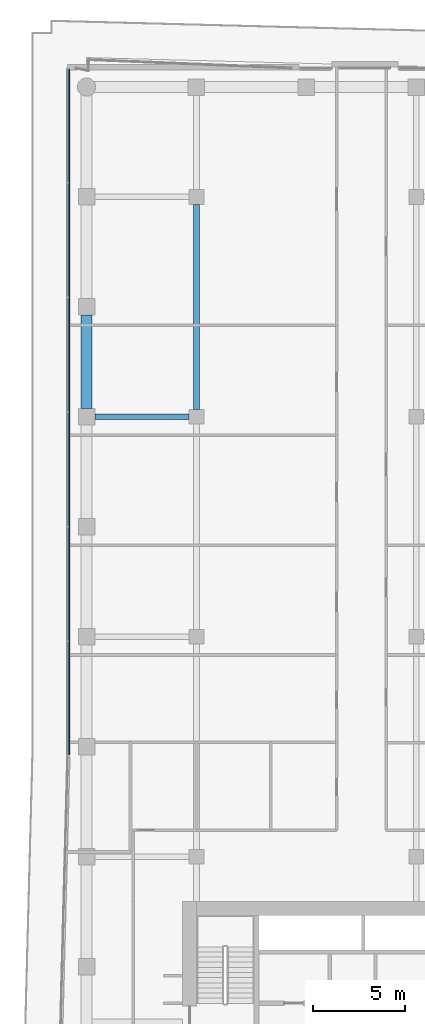
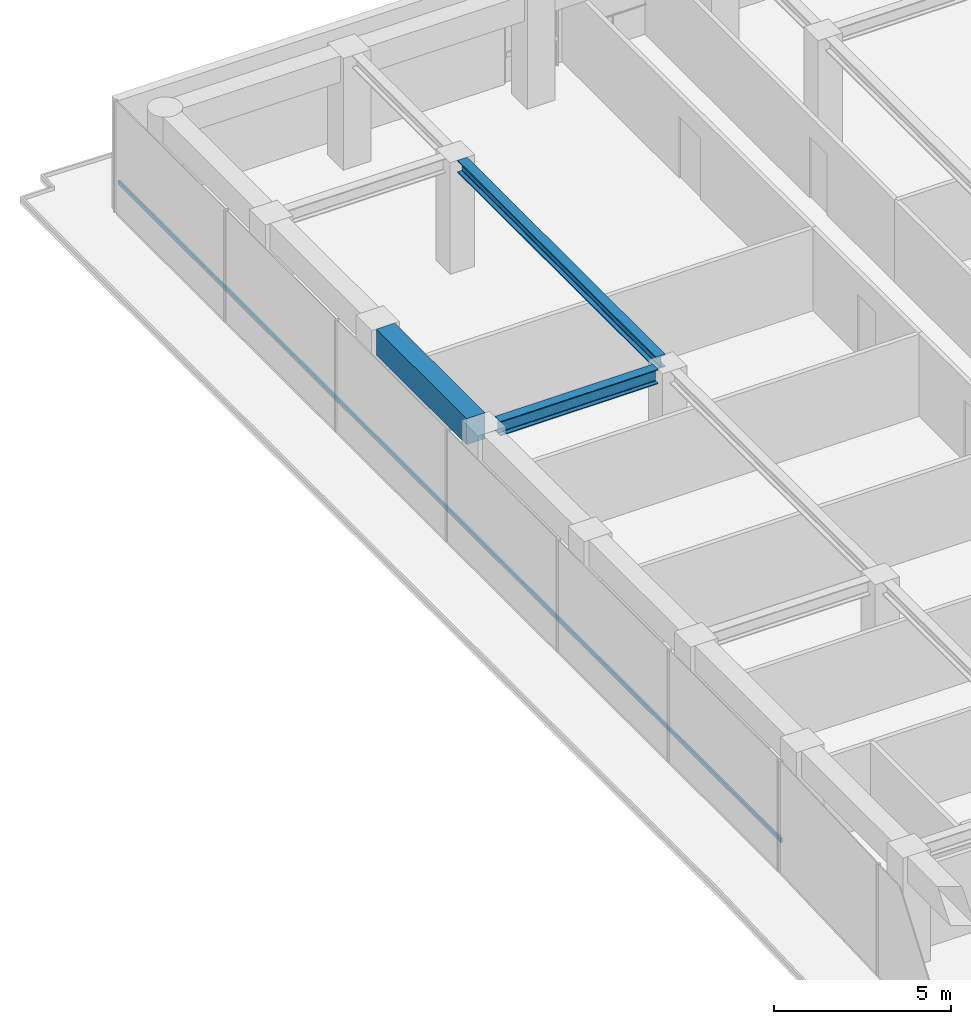
# One storey, part 12 of 23: 3 beams, 1 member, 1 element without a shape of its own.
"""IFC4 building model written with IfcOpenShell, lengths in metres."""

from ifc_helpers import new_model, si_unit, direction, frame, origin, origin_2d, place, context, subcontext, project, spatial, rectangle, i_section, extrude, material, layer, layer_set, material_profile, profile_set, type_object, element, aggregate, save


model = new_model("IFC4")

# Units and contexts
model_context = context("Model", 3, precision=1e-05, world=origin(), true_north=direction((0.0, 1.0)))
body_context = subcontext(model_context, "Body", "Model", "MODEL_VIEW")
ifc_project = project(units=[si_unit("LENGTHUNIT", "METRE"), si_unit("AREAUNIT", "SQUARE_METRE"), si_unit("VOLUMEUNIT", "CUBIC_METRE"), si_unit("PLANEANGLEUNIT", "RADIAN"), si_unit("MASSUNIT", "GRAM", prefix="KILO")], contexts=[model_context])

# Site, building, storey
site_placement = place(None, origin())
site = spatial("IfcSite", under=ifc_project, at=site_placement, CompositionType="ELEMENT")
building_placement = place(site_placement, origin())
building = spatial("IfcBuilding", under=site, at=building_placement, Name="Welwitschia Terrace Campus", CompositionType="ELEMENT")
storey_placement = place(building_placement, frame((0.0, 0.0, 117.199951171875)))
storey = spatial("IfcBuildingStorey", under=building, at=storey_placement, Name="L26", CompositionType="ELEMENT", Elevation=117.199951171875)

# Beams
ifc_material_1 = material(Name="Steel S355", Category="steel")
ifc_material_profile_1 = material_profile(ifc_material_1, i_section(OverallWidth=0.306884765625, OverallDepth=0.431884765625, WebThickness=0.02099609375, FlangeThickness=0.0400390625, FilletRadius=0.027099609375, at=origin_2d()))
ifc_profile_set_1 = profile_set([ifc_material_profile_1], Name="Steel S355")
beam_type_1 = type_object("IfcBeamType", Name="Interior girder HE 400 M", PredefinedType="BEAM", material=ifc_profile_set_1)
beam_1_placement = place(storey_placement, frame((6.0, 52.400390625, 3.634033203125), z_axis=(0.0, 1.0, 0.0), x_axis=(-1.0, 0.0, 0.0)))
element("IfcBeam", 1, at=beam_1_placement, inside=storey, type_object=beam_type_1, Name="Girder GB3", PredefinedType="BEAM", context=body_context, shape_type="SweptSolid", body=[
    extrude(i_section(OverallWidth=0.306884765625, OverallDepth=0.431884765625, WebThickness=0.02099609375, FlangeThickness=0.0400390625, FilletRadius=0.027099609375, at=origin_2d()), origin(), (0.0, 0.0, 1.0), 11.19921875),
])
ifc_material_2 = material(Name="Steel S355", Category="steel")
ifc_material_profile_2 = material_profile(ifc_material_2, i_section(OverallWidth=0.300048828125, OverallDepth=0.5, WebThickness=0.014404296875, FlangeThickness=0.028076171875, FilletRadius=0.027099609375, at=origin_2d()))
ifc_profile_set_2 = profile_set([ifc_material_profile_2], Name="Steel S355")
beam_type_2 = type_object("IfcBeamType", Name="Primary beam HE 500 B", PredefinedType="BEAM", material=ifc_profile_set_2)
beam_2_placement = place(storey_placement, frame((0.450439453125, 52.0, 3.60009765625), z_axis=(1.0, 0.0, 0.0), x_axis=(0.0, 1.0, 0.0)))
element("IfcBeam", 2, at=beam_2_placement, inside=storey, type_object=beam_type_2, Name="Primary beam PB3", PredefinedType="BEAM", context=body_context, shape_type="SweptSolid", body=[
    extrude(i_section(OverallWidth=0.300048828125, OverallDepth=0.5, WebThickness=0.014404296875, FlangeThickness=0.028076171875, FilletRadius=0.027099609375, at=origin_2d()), origin(), (0.0, 0.0, 1.0), 5.149169921875),
])
ifc_material_3 = material(Name="Concrete C60/75", Category="concrete")
ifc_material_profile_3 = material_profile(ifc_material_3, rectangle(XDim=0.60009765625, YDim=0.89990234375, at=origin_2d()))
ifc_profile_set_3 = profile_set([ifc_material_profile_3], Name="Concrete C60/75")
beam_type_3 = type_object("IfcBeamType", Name="Ring spandrel 600x900", PredefinedType="SPANDREL", material=ifc_profile_set_3)
beam_3_placement = place(storey_placement, frame((0.0, 57.549560546875, 3.400146484375), z_axis=(0.0, -1.0, 0.0), x_axis=(1.0, 0.0, 0.0)))
element("IfcBeam", 3, at=beam_3_placement, inside=storey, type_object=beam_type_3, Name="Spandrel SP2", PredefinedType="SPANDREL", context=body_context, shape_type="SweptSolid", body=[
    extrude(rectangle(XDim=0.60009765625, YDim=0.89990234375, at=origin_2d()), origin(), (0.0, 0.0, 1.0), 5.09912109375),
])

# Curtain wall, member
ifc_material_4 = material(Name="Bronze anodised aluminium", Category="aluminium")
ifc_layer = layer(ifc_material_4, 0.1201171875)
ifc_layer_set = layer_set([ifc_layer], Name="Bronze anodised aluminium")
curtain_wall_type = type_object("IfcCurtainWallType", Name="Curtain wall CW2 tower 6000", PredefinedType="NOTDEFINED", material=ifc_layer_set)
curtain_wall_placement = place(storey_placement, origin())
curtain_wall = element("IfcCurtainWall", 4, at=curtain_wall_placement, inside=storey, type_object=curtain_wall_type, Name="CW L26.12.0", PredefinedType="NOTDEFINED")
ifc_material_5 = material(Name="Bronze anodised aluminium", Category="aluminium")
ifc_material_profile_4 = material_profile(ifc_material_5, rectangle(XDim=0.06005859375, YDim=0.14990234375, at=origin_2d()))
ifc_profile_set_4 = profile_set([ifc_material_profile_4], Name="Bronze anodised aluminium")
member_type = type_object("IfcMemberType", Name="Transom 60x150", PredefinedType="USERDEFINED", material=ifc_profile_set_4)
member_placement = place(storey_placement, frame((-0.93994140625, 70.969970703125, 1.0), z_axis=(0.0, -1.0, 0.0), x_axis=(1.0, 0.0, 0.0)))
member = element("IfcMember", 5, at=member_placement, type_object=member_type, Name="Transom L26.12.0", ObjectType="TRANSOM", PredefinedType="USERDEFINED", context=body_context, shape_type="SweptSolid", body=[
    extrude(rectangle(XDim=0.06005859375, YDim=0.14990234375, at=origin_2d()), origin(), (0.0, 0.0, 1.0), 37.41943359375),
])
aggregate(curtain_wall, [member])

save(model, "model.ifc")
